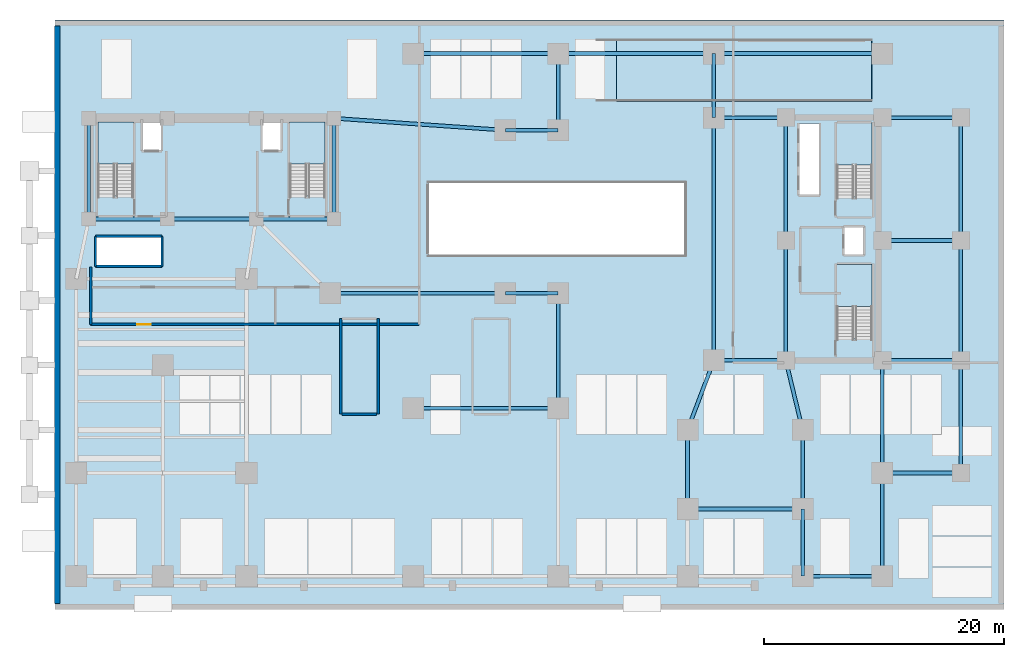
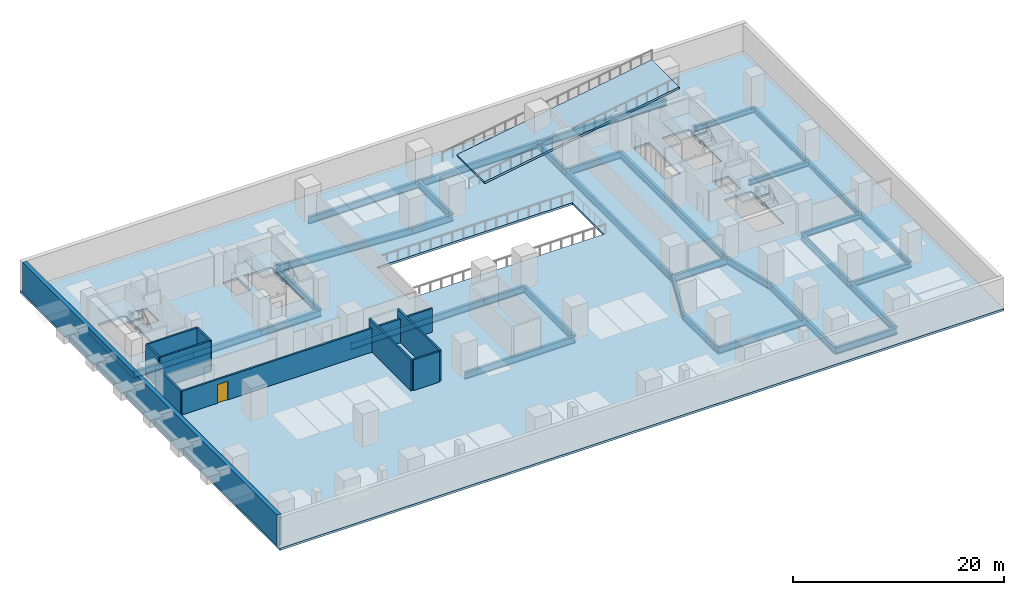
# One storey, part 2 of 9: 37 beams, 10 walls, 6 slabs, 1 door, 1 opening, 4 elements without a shape of their own.
"""IFC4 building model written with IfcOpenShell, lengths in metres."""

from ifc_helpers import new_model, si_unit, direction, frame, frame_2d, origin, origin_2d, place, context, subcontext, project, spatial, polyline, rectangle, i_section, outline, extrude, material, layer, layer_set, material_profile, profile_set, type_object, element, fill, aggregate, save


model = new_model("IFC4")

# Units and contexts
model_context = context("Model", 3, precision=1e-05, world=origin(), true_north=direction((0.0, 1.0)))
body_context = subcontext(model_context, "Body", "Model", "MODEL_VIEW")
ifc_project = project(units=[si_unit("LENGTHUNIT", "METRE"), si_unit("AREAUNIT", "SQUARE_METRE"), si_unit("VOLUMEUNIT", "CUBIC_METRE"), si_unit("PLANEANGLEUNIT", "RADIAN"), si_unit("MASSUNIT", "GRAM", prefix="KILO")], contexts=[model_context])

# Site, building, storey
site_placement = place(None, origin())
site = spatial("IfcSite", under=ifc_project, at=site_placement, CompositionType="ELEMENT")
building_placement = place(site_placement, origin())
building = spatial("IfcBuilding", under=site, at=building_placement, Name="Kuzgunbayir Cultural Tower", CompositionType="ELEMENT")
storey_placement = place(building_placement, frame((0.0, 0.0, -3.800048828125)))
storey = spatial("IfcBuildingStorey", under=building, at=storey_placement, Name="B01", CompositionType="ELEMENT", Elevation=-3.800048828125)

# Beams
ifc_material_1 = material(Name="Steel S460M", Category="steel")
ifc_material_profile_1 = material_profile(ifc_material_1, i_section(OverallWidth=0.304931640625, OverallDepth=0.6201171875, WebThickness=0.02099609375, FlangeThickness=0.0400390625, FilletRadius=0.027099609375, at=origin_2d()), Name="HEM 600")
ifc_profile_set_1 = profile_set([ifc_material_profile_1], Name="Steel S460M")
beam_type_1 = type_object("IfcBeamType", Name="BM-GIR-HEM600", PredefinedType="BEAM", material=ifc_profile_set_1)
for number, where, z_axis, x_axis, name in (
    (1, (72.64990234375, 12.60009765625, -0.56005859375), (1.0, 0.0, 0.0), (0.0, 1.0, 0.0), "B01 East Substructure Girder 1"),
    (2, (72.64990234375, 22.0, -0.56005859375), (1.0, 0.0, 0.0), (0.0, 1.0, 0.0), "B01 East Substructure Girder 2"),
    (3, (72.64990234375, 32.0, -0.56005859375), (1.0, 0.0, 0.0), (0.0, 1.0, 0.0), "B01 East Substructure Girder 3"),
    (4, (72.64990234375, 42.25, -0.56005859375), (1.0, 0.0, 0.0), (0.0, 1.0, 0.0), "B01 East Substructure Girder 4"),
):
    element("IfcBeam", number, at=place(storey_placement, frame(where, z_axis=z_axis, x_axis=x_axis)), inside=storey, type_object=beam_type_1, Name=name, PredefinedType="BEAM", context=body_context, shape_type="SweptSolid", body=[
        extrude(i_section(OverallWidth=0.304931640625, OverallDepth=0.6201171875, WebThickness=0.02099609375, FlangeThickness=0.0400390625, FilletRadius=0.027099609375, at=origin_2d()), origin(), (0.0, 0.0, 1.0), 6.550048828125),
    ])
beam_1_placement = place(storey_placement, frame((79.199951171875, 12.60009765625, -0.56005859375), z_axis=(0.0, 1.0, 0.0), x_axis=(-1.0, 0.0, 0.0)))
element("IfcBeam", 5, at=beam_1_placement, inside=storey, type_object=beam_type_1, Name="B01 East Substructure Spine 1", PredefinedType="BEAM", context=body_context, shape_type="SweptSolid", body=[
    extrude(i_section(OverallWidth=0.304931640625, OverallDepth=0.6201171875, WebThickness=0.02099609375, FlangeThickness=0.0400390625, FilletRadius=0.027099609375, at=origin_2d()), origin(), (0.0, 0.0, 1.0), 9.39990234375),
])
beam_2_placement = place(storey_placement, frame((79.199951171875, 22.0, -0.56005859375), z_axis=(0.0, 1.0, 0.0), x_axis=(-1.0, 0.0, 0.0)))
element("IfcBeam", 6, at=beam_2_placement, inside=storey, type_object=beam_type_1, Name="B01 East Substructure Spine 2", PredefinedType="BEAM", context=body_context, shape_type="SweptSolid", body=[
    extrude(i_section(OverallWidth=0.304931640625, OverallDepth=0.6201171875, WebThickness=0.02099609375, FlangeThickness=0.0400390625, FilletRadius=0.027099609375, at=origin_2d()), origin(), (0.0, 0.0, 1.0), 10.0),
])
beam_3_placement = place(storey_placement, frame((79.199951171875, 32.0, -0.56005859375), z_axis=(0.0, 1.0, 0.0), x_axis=(-1.0, 0.0, 0.0)))
element("IfcBeam", 7, at=beam_3_placement, inside=storey, type_object=beam_type_1, Name="B01 East Substructure Spine 3", PredefinedType="BEAM", context=body_context, shape_type="SweptSolid", body=[
    extrude(i_section(OverallWidth=0.304931640625, OverallDepth=0.6201171875, WebThickness=0.02099609375, FlangeThickness=0.0400390625, FilletRadius=0.027099609375, at=origin_2d()), origin(), (0.0, 0.0, 1.0), 10.25),
])
ifc_material_profile_2 = material_profile(ifc_material_1, i_section(OverallWidth=0.302978515625, OverallDepth=0.81396484375, WebThickness=0.02099609375, FlangeThickness=0.0400390625, FilletRadius=0.030029296875, at=origin_2d()), Name="HEM 800")
ifc_profile_set_2 = profile_set([ifc_material_profile_2], Name="Steel S460M")
beam_type_2 = type_object("IfcBeamType", Name="BM-GIR-HEM800", PredefinedType="BEAM", material=ifc_profile_set_2)
beam_4_placement = place(storey_placement, frame((66.0, 4.0, -0.659912109375), z_axis=(1.0, 0.0, 0.0), x_axis=(0.0, 1.0, 0.0)))
element("IfcBeam", 8, at=beam_4_placement, inside=storey, type_object=beam_type_2, Name="B01 Podium South Girder 7", PredefinedType="BEAM", context=body_context, shape_type="SweptSolid", body=[
    extrude(i_section(OverallWidth=0.302978515625, OverallDepth=0.81396484375, WebThickness=0.02099609375, FlangeThickness=0.0400390625, FilletRadius=0.030029296875, at=origin_2d()), origin(), (0.0, 0.0, 1.0), 6.64990234375),
])
beam_5_placement = place(storey_placement, frame((33.5, 47.60009765625, -0.659912109375), z_axis=(1.0, 0.0, 0.0), x_axis=(0.0, 1.0, 0.0)))
element("IfcBeam", 9, at=beam_5_placement, inside=storey, type_object=beam_type_2, Name="B01 Podium North Girder 1", PredefinedType="BEAM", context=body_context, shape_type="SweptSolid", body=[
    extrude(i_section(OverallWidth=0.302978515625, OverallDepth=0.81396484375, WebThickness=0.02099609375, FlangeThickness=0.0400390625, FilletRadius=0.030029296875, at=origin_2d()), origin(), (0.0, 0.0, 1.0), 12.10009765625),
])
beam_6_placement = place(storey_placement, frame((45.60009765625, 47.60009765625, -0.659912109375), z_axis=(1.0, 0.0, 0.0), x_axis=(0.0, 1.0, 0.0)))
element("IfcBeam", 10, at=beam_6_placement, inside=storey, type_object=beam_type_2, Name="B01 Podium North Girder 2", PredefinedType="BEAM", context=body_context, shape_type="SweptSolid", body=[
    extrude(i_section(OverallWidth=0.302978515625, OverallDepth=0.81396484375, WebThickness=0.02099609375, FlangeThickness=0.0400390625, FilletRadius=0.030029296875, at=origin_2d()), origin(), (0.0, 0.0, 1.0), 13.0),
])
beam_7_placement = place(storey_placement, frame((58.60009765625, 47.60009765625, -0.659912109375), z_axis=(1.0, 0.0, 0.0), x_axis=(0.0, 1.0, 0.0)))
element("IfcBeam", 11, at=beam_7_placement, inside=storey, type_object=beam_type_2, Name="B01 Podium North Girder 3", PredefinedType="BEAM", context=body_context, shape_type="SweptSolid", body=[
    extrude(i_section(OverallWidth=0.302978515625, OverallDepth=0.81396484375, WebThickness=0.02099609375, FlangeThickness=0.0400390625, FilletRadius=0.030029296875, at=origin_2d()), origin(), (0.0, 0.0, 1.0), 14.0498046875),
])
beam_8_placement = place(storey_placement, frame((26.60009765625, 27.60009765625, -0.659912109375), z_axis=(1.0, 0.0, 0.0), x_axis=(0.0, 1.0, 0.0)))
element("IfcBeam", 12, at=beam_8_placement, inside=storey, type_object=beam_type_2, Name="B01 Podium Primary Girder 10", PredefinedType="BEAM", context=body_context, shape_type="SweptSolid", body=[
    extrude(i_section(OverallWidth=0.302978515625, OverallDepth=0.81396484375, WebThickness=0.02099609375, FlangeThickness=0.0400390625, FilletRadius=0.030029296875, at=origin_2d()), origin(), (0.0, 0.0, 1.0), 14.599853515625),
])
beam_9_placement = place(storey_placement, frame((41.199951171875, 27.60009765625, -0.659912109375), z_axis=(1.0, 0.0, 0.0), x_axis=(0.0, 1.0, 0.0)))
element("IfcBeam", 13, at=beam_9_placement, inside=storey, type_object=beam_type_2, Name="B01 Podium Primary Girder 11", PredefinedType="BEAM", context=body_context, shape_type="SweptSolid", body=[
    extrude(i_section(OverallWidth=0.302978515625, OverallDepth=0.81396484375, WebThickness=0.02099609375, FlangeThickness=0.0400390625, FilletRadius=0.030029296875, at=origin_2d()), origin(), (0.0, 0.0, 1.0), 4.400146484375),
])
beam_10_placement = place(storey_placement, frame((26.89990234375, 42.199951171875, -0.659912109375), z_axis=(0.997563840671, -0.06975947094, 0.0), x_axis=(0.06975947094, 0.997563840671, 0.0)))
element("IfcBeam", 14, at=beam_10_placement, inside=storey, type_object=beam_type_2, Name="B01 Podium Primary Girder 12", PredefinedType="BEAM", context=body_context, shape_type="SweptSolid", body=[
    extrude(i_section(OverallWidth=0.302978515625, OverallDepth=0.81396484375, WebThickness=0.02099609375, FlangeThickness=0.0400390625, FilletRadius=0.030029296875, at=origin_2d()), origin(), (0.0, 0.0, 1.0), 14.3349609375),
])
beam_11_placement = place(storey_placement, frame((41.199951171875, 41.199951171875, -0.659912109375), z_axis=(1.0, 0.0, 0.0), x_axis=(0.0, 1.0, 0.0)))
element("IfcBeam", 15, at=beam_11_placement, inside=storey, type_object=beam_type_2, Name="B01 Podium Primary Girder 13", PredefinedType="BEAM", context=body_context, shape_type="SweptSolid", body=[
    extrude(i_section(OverallWidth=0.302978515625, OverallDepth=0.81396484375, WebThickness=0.02099609375, FlangeThickness=0.0400390625, FilletRadius=0.030029296875, at=origin_2d()), origin(), (0.0, 0.0, 1.0), 4.400146484375),
])
beam_12_placement = place(storey_placement, frame((33.5, 18.0, -0.659912109375), z_axis=(1.0, 0.0, 0.0), x_axis=(0.0, 1.0, 0.0)))
element("IfcBeam", 16, at=beam_12_placement, inside=storey, type_object=beam_type_2, Name="B01 Podium Primary Girder 16", PredefinedType="BEAM", context=body_context, shape_type="SweptSolid", body=[
    extrude(i_section(OverallWidth=0.302978515625, OverallDepth=0.81396484375, WebThickness=0.02099609375, FlangeThickness=0.0400390625, FilletRadius=0.030029296875, at=origin_2d()), origin(), (0.0, 0.0, 1.0), 12.10009765625),
])
for number, where, z_axis, x_axis, name in (
    (17, (45.60009765625, 18.0, -0.659912109375), (0.0, 1.0, 0.0), (-1.0, 0.0, 0.0), "B01 Podium Primary Girder 17"),
    (18, (56.39990234375, 9.60009765625, -0.659912109375), (1.0, 0.0, 0.0), (0.0, 1.0, 0.0), "B01 Podium Primary Girder 18"),
):
    element("IfcBeam", number, at=place(storey_placement, frame(where, z_axis=z_axis, x_axis=x_axis)), inside=storey, type_object=beam_type_2, Name=name, PredefinedType="BEAM", context=body_context, shape_type="SweptSolid", body=[
        extrude(i_section(OverallWidth=0.302978515625, OverallDepth=0.81396484375, WebThickness=0.02099609375, FlangeThickness=0.0400390625, FilletRadius=0.030029296875, at=origin_2d()), origin(), (0.0, 0.0, 1.0), 9.60009765625),
    ])
beam_13_placement = place(storey_placement, frame((56.39990234375, 9.60009765625, -0.659912109375), z_axis=(0.0, 1.0, 0.0), x_axis=(-1.0, 0.0, 0.0)))
element("IfcBeam", 19, at=beam_13_placement, inside=storey, type_object=beam_type_2, Name="B01 Podium Primary Girder 19", PredefinedType="BEAM", context=body_context, shape_type="SweptSolid", body=[
    extrude(i_section(OverallWidth=0.302978515625, OverallDepth=0.81396484375, WebThickness=0.02099609375, FlangeThickness=0.0400390625, FilletRadius=0.030029296875, at=origin_2d()), origin(), (0.0, 0.0, 1.0), 6.599853515625),
])
beam_14_placement = place(storey_placement, frame((56.39990234375, 16.199951171875, -0.659912109375), z_axis=(0.354679148754, 0.93498807556, 0.0), x_axis=(-0.93498807556, 0.354679148754, 0.0)))
element("IfcBeam", 20, at=beam_14_placement, inside=storey, type_object=beam_type_2, Name="B01 Podium Primary Girder 20", PredefinedType="BEAM", context=body_context, shape_type="SweptSolid", body=[
    extrude(i_section(OverallWidth=0.302978515625, OverallDepth=0.81396484375, WebThickness=0.02099609375, FlangeThickness=0.0400390625, FilletRadius=0.030029296875, at=origin_2d()), origin(), (0.0, 0.0, 1.0), 6.203369140625),
])
beam_15_placement = place(storey_placement, frame((66.0, 9.60009765625, -0.659912109375), z_axis=(0.0, 1.0, 0.0), x_axis=(-1.0, 0.0, 0.0)))
element("IfcBeam", 21, at=beam_15_placement, inside=storey, type_object=beam_type_2, Name="B01 Podium Primary Girder 21", PredefinedType="BEAM", context=body_context, shape_type="SweptSolid", body=[
    extrude(i_section(OverallWidth=0.302978515625, OverallDepth=0.81396484375, WebThickness=0.02099609375, FlangeThickness=0.0400390625, FilletRadius=0.030029296875, at=origin_2d()), origin(), (0.0, 0.0, 1.0), 6.599853515625),
])
beam_16_placement = place(storey_placement, frame((66.0, 16.199951171875, -0.659912109375), z_axis=(-0.234623200431, 0.972086392158, 0.0), x_axis=(-0.972086392158, -0.234623200431, 0.0)))
element("IfcBeam", 22, at=beam_16_placement, inside=storey, type_object=beam_type_2, Name="B01 Podium Primary Girder 22", PredefinedType="BEAM", context=body_context, shape_type="SweptSolid", body=[
    extrude(i_section(OverallWidth=0.302978515625, OverallDepth=0.81396484375, WebThickness=0.02099609375, FlangeThickness=0.0400390625, FilletRadius=0.030029296875, at=origin_2d()), origin(), (0.0, 0.0, 1.0), 5.966552734375),
])
for number, where, z_axis, x_axis, name in (
    (23, (58.60009765625, 22.0, -0.659912109375), (1.0, 0.0, 0.0), (0.0, 1.0, 0.0), "B01 Podium Primary Girder 23"),
    (24, (58.60009765625, 42.25, -0.659912109375), (1.0, 0.0, 0.0), (0.0, 1.0, 0.0), "B01 Podium Primary Girder 24"),
):
    element("IfcBeam", number, at=place(storey_placement, frame(where, z_axis=z_axis, x_axis=x_axis)), inside=storey, type_object=beam_type_2, Name=name, PredefinedType="BEAM", context=body_context, shape_type="SweptSolid", body=[
        extrude(i_section(OverallWidth=0.302978515625, OverallDepth=0.81396484375, WebThickness=0.02099609375, FlangeThickness=0.0400390625, FilletRadius=0.030029296875, at=origin_2d()), origin(), (0.0, 0.0, 1.0), 6.0),
    ])
beam_17_placement = place(storey_placement, frame((58.60009765625, 22.0, -0.659912109375), z_axis=(0.0, 1.0, 0.0), x_axis=(-1.0, 0.0, 0.0)))
element("IfcBeam", 25, at=beam_17_placement, inside=storey, type_object=beam_type_2, Name="B01 Podium Primary Girder 25", PredefinedType="BEAM", context=body_context, shape_type="SweptSolid", body=[
    extrude(i_section(OverallWidth=0.302978515625, OverallDepth=0.81396484375, WebThickness=0.02099609375, FlangeThickness=0.0400390625, FilletRadius=0.030029296875, at=origin_2d()), origin(), (0.0, 0.0, 1.0), 20.25),
])
beam_18_placement = place(storey_placement, frame((64.60009765625, 22.0, -0.659912109375), z_axis=(0.0, 1.0, 0.0), x_axis=(-1.0, 0.0, 0.0)))
element("IfcBeam", 26, at=beam_18_placement, inside=storey, type_object=beam_type_2, Name="B01 Podium Primary Girder 26", PredefinedType="BEAM", context=body_context, shape_type="SweptSolid", body=[
    extrude(i_section(OverallWidth=0.302978515625, OverallDepth=0.81396484375, WebThickness=0.02099609375, FlangeThickness=0.0400390625, FilletRadius=0.030029296875, at=origin_2d()), origin(), (0.0, 0.0, 1.0), 10.0),
])
beam_19_placement = place(storey_placement, frame((64.60009765625, 32.0, -0.659912109375), z_axis=(0.0, 1.0, 0.0), x_axis=(-1.0, 0.0, 0.0)))
element("IfcBeam", 27, at=beam_19_placement, inside=storey, type_object=beam_type_2, Name="B01 Podium Primary Girder 27", PredefinedType="BEAM", context=body_context, shape_type="SweptSolid", body=[
    extrude(i_section(OverallWidth=0.302978515625, OverallDepth=0.81396484375, WebThickness=0.02099609375, FlangeThickness=0.0400390625, FilletRadius=0.030029296875, at=origin_2d()), origin(), (0.0, 0.0, 1.0), 10.25),
])
beam_20_placement = place(storey_placement, frame((6.449951171875, 33.800048828125, -0.659912109375), z_axis=(1.0, 0.0, 0.0), x_axis=(0.0, 1.0, 0.0)))
element("IfcBeam", 28, at=beam_20_placement, inside=storey, type_object=beam_type_2, Name="B01 Podium Primary Girder 28", PredefinedType="BEAM", context=body_context, shape_type="SweptSolid", body=[
    extrude(i_section(OverallWidth=0.302978515625, OverallDepth=0.81396484375, WebThickness=0.02099609375, FlangeThickness=0.0400390625, FilletRadius=0.030029296875, at=origin_2d()), origin(), (0.0, 0.0, 1.0), 6.550048828125),
])
beam_21_placement = place(storey_placement, frame((13.0, 33.800048828125, -0.659912109375), z_axis=(1.0, 0.0, 0.0), x_axis=(0.0, 1.0, 0.0)))
element("IfcBeam", 29, at=beam_21_placement, inside=storey, type_object=beam_type_2, Name="B01 Podium Primary Girder 29", PredefinedType="BEAM", context=body_context, shape_type="SweptSolid", body=[
    extrude(i_section(OverallWidth=0.302978515625, OverallDepth=0.81396484375, WebThickness=0.02099609375, FlangeThickness=0.0400390625, FilletRadius=0.030029296875, at=origin_2d()), origin(), (0.0, 0.0, 1.0), 7.39990234375),
])
beam_22_placement = place(storey_placement, frame((20.39990234375, 33.800048828125, -0.659912109375), z_axis=(1.0, 0.0, 0.0), x_axis=(0.0, 1.0, 0.0)))
element("IfcBeam", 30, at=beam_22_placement, inside=storey, type_object=beam_type_2, Name="B01 Podium Primary Girder 30", PredefinedType="BEAM", context=body_context, shape_type="SweptSolid", body=[
    extrude(i_section(OverallWidth=0.302978515625, OverallDepth=0.81396484375, WebThickness=0.02099609375, FlangeThickness=0.0400390625, FilletRadius=0.030029296875, at=origin_2d()), origin(), (0.0, 0.0, 1.0), 6.5),
])
for number, where, z_axis, x_axis, name in (
    (31, (6.449951171875, 33.800048828125, -0.659912109375), (0.0, 1.0, 0.0), (-1.0, 0.0, 0.0), "B01 Podium Primary Girder 31"),
    (32, (26.89990234375, 33.800048828125, -0.659912109375), (0.0, 1.0, 0.0), (-1.0, 0.0, 0.0), "B01 Podium Primary Girder 32"),
):
    element("IfcBeam", number, at=place(storey_placement, frame(where, z_axis=z_axis, x_axis=x_axis)), inside=storey, type_object=beam_type_2, Name=name, PredefinedType="BEAM", context=body_context, shape_type="SweptSolid", body=[
        extrude(i_section(OverallWidth=0.302978515625, OverallDepth=0.81396484375, WebThickness=0.02099609375, FlangeThickness=0.0400390625, FilletRadius=0.030029296875, at=origin_2d()), origin(), (0.0, 0.0, 1.0), 8.39990234375),
    ])
beam_23_placement = place(storey_placement, frame((66.0, 4.0, -0.659912109375), z_axis=(0.0, 1.0, 0.0), x_axis=(-1.0, 0.0, 0.0)))
element("IfcBeam", 33, at=beam_23_placement, inside=storey, type_object=beam_type_2, Name="B01 Podium Primary Girder 38", PredefinedType="BEAM", context=body_context, shape_type="SweptSolid", body=[
    extrude(i_section(OverallWidth=0.302978515625, OverallDepth=0.81396484375, WebThickness=0.02099609375, FlangeThickness=0.0400390625, FilletRadius=0.030029296875, at=origin_2d()), origin(), (0.0, 0.0, 1.0), 5.60009765625),
])
beam_24_placement = place(storey_placement, frame((72.64990234375, 4.0, -0.659912109375), z_axis=(0.0, 1.0, 0.0), x_axis=(-1.0, 0.0, 0.0)))
element("IfcBeam", 34, at=beam_24_placement, inside=storey, type_object=beam_type_2, Name="B01 Podium Primary Girder 39", PredefinedType="BEAM", context=body_context, shape_type="SweptSolid", body=[
    extrude(i_section(OverallWidth=0.302978515625, OverallDepth=0.81396484375, WebThickness=0.02099609375, FlangeThickness=0.0400390625, FilletRadius=0.030029296875, at=origin_2d()), origin(), (0.0, 0.0, 1.0), 8.60009765625),
])
beam_25_placement = place(storey_placement, frame((72.64990234375, 12.60009765625, -0.659912109375), z_axis=(0.0, 1.0, 0.0), x_axis=(-1.0, 0.0, 0.0)))
element("IfcBeam", 35, at=beam_25_placement, inside=storey, type_object=beam_type_2, Name="B01 Podium Primary Girder 40", PredefinedType="BEAM", context=body_context, shape_type="SweptSolid", body=[
    extrude(i_section(OverallWidth=0.302978515625, OverallDepth=0.81396484375, WebThickness=0.02099609375, FlangeThickness=0.0400390625, FilletRadius=0.030029296875, at=origin_2d()), origin(), (0.0, 0.0, 1.0), 9.39990234375),
])
beam_26_placement = place(storey_placement, frame((45.60009765625, 41.199951171875, -0.659912109375), z_axis=(0.0, 1.0, 0.0), x_axis=(-1.0, 0.0, 0.0)))
element("IfcBeam", 36, at=beam_26_placement, inside=storey, type_object=beam_type_2, Name="B01 Podium Primary Girder 41", PredefinedType="BEAM", context=body_context, shape_type="SweptSolid", body=[
    extrude(i_section(OverallWidth=0.302978515625, OverallDepth=0.81396484375, WebThickness=0.02099609375, FlangeThickness=0.0400390625, FilletRadius=0.030029296875, at=origin_2d()), origin(), (0.0, 0.0, 1.0), 6.400146484375),
])
beam_27_placement = place(storey_placement, frame((58.60009765625, 42.25, -0.659912109375), z_axis=(0.0, 1.0, 0.0), x_axis=(-1.0, 0.0, 0.0)))
element("IfcBeam", 37, at=beam_27_placement, inside=storey, type_object=beam_type_2, Name="B01 Podium Primary Girder 42", PredefinedType="BEAM", context=body_context, shape_type="SweptSolid", body=[
    extrude(i_section(OverallWidth=0.302978515625, OverallDepth=0.81396484375, WebThickness=0.02099609375, FlangeThickness=0.0400390625, FilletRadius=0.030029296875, at=origin_2d()), origin(), (0.0, 0.0, 1.0), 5.35009765625),
])

# Stair, slab
ifc_material_2 = material(Name="Concrete C40/50", Category="concrete")
stair_type = type_object("IfcStairType", Name="STR-EXIT-CORE", PredefinedType="HALF_TURN_STAIR", material=ifc_material_2)
stair_1_placement = place(storey_placement, origin())
stair_1 = element("IfcStair", 38, at=stair_1_placement, inside=storey, type_object=stair_type, Name="B01 ST-1", PredefinedType="HALF_TURN_STAIR")
ifc_layer_1 = layer(ifc_material_2, 0.179931640625)
ifc_layer_set_1 = layer_set([ifc_layer_1], Name="Concrete C40/50")
slab_type_1 = type_object("IfcSlabType", Name="SLB-LANDING-180", PredefinedType="LANDING", material=ifc_layer_set_1)
slab_1_placement = place(storey_placement, frame((0.0, 0.0, 1.699951171875)))
slab_1 = element("IfcSlab", 39, at=slab_1_placement, type_object=slab_type_1, Name="ST-1 landing 1", PredefinedType="LANDING", context=body_context, shape_type="SweptSolid", body=[
    extrude(outline(polyline([(10.159912109375, 38.39990234375), (10.159912109375, 41.89990234375), (7.199951171875, 41.89990234375), (7.199951171875, 38.39990234375), (10.159912109375, 38.39990234375)])), origin(), (0.0, 0.0, 1.0), 0.2001953125),
])
aggregate(stair_1, [slab_1])

stair_2_placement = place(storey_placement, origin())
stair_2 = element("IfcStair", 40, at=stair_2_placement, inside=storey, type_object=stair_type, Name="B01 ST-2", PredefinedType="HALF_TURN_STAIR")
slab_2_placement = place(storey_placement, frame((0.0, 0.0, 1.699951171875)))
slab_2 = element("IfcSlab", 41, at=slab_2_placement, type_object=slab_type_1, Name="ST-2 landing 1", PredefinedType="LANDING", context=body_context, shape_type="SweptSolid", body=[
    extrude(outline(polyline([(26.159912109375, 38.39990234375), (26.159912109375, 41.89990234375), (23.199951171875, 41.89990234375), (23.199951171875, 38.39990234375), (26.159912109375, 38.39990234375)])), origin(), (0.0, 0.0, 1.0), 0.2001953125),
])
aggregate(stair_2, [slab_2])

stair_3_placement = place(storey_placement, origin())
stair_3 = element("IfcStair", 42, at=stair_3_placement, inside=storey, type_object=stair_type, Name="B01 ST-3", PredefinedType="HALF_TURN_STAIR")
slab_3_placement = place(storey_placement, frame((0.0, 0.0, 1.699951171875)))
slab_3 = element("IfcSlab", 43, at=slab_3_placement, type_object=slab_type_1, Name="ST-3 landing 1", PredefinedType="LANDING", context=body_context, shape_type="SweptSolid", body=[
    extrude(outline(polyline([(71.800048828125, 26.5), (71.800048828125, 30.0), (68.840087890625, 30.0), (68.840087890625, 26.5), (71.800048828125, 26.5)])), origin(), (0.0, 0.0, 1.0), 0.2001953125),
])
aggregate(stair_3, [slab_3])

stair_4_placement = place(storey_placement, origin())
stair_4 = element("IfcStair", 44, at=stair_4_placement, inside=storey, type_object=stair_type, Name="B01 ST-4", PredefinedType="HALF_TURN_STAIR")
slab_4_placement = place(storey_placement, frame((0.0, 0.0, 1.699951171875)))
slab_4 = element("IfcSlab", 45, at=slab_4_placement, type_object=slab_type_1, Name="ST-4 landing 1", PredefinedType="LANDING", context=body_context, shape_type="SweptSolid", body=[
    extrude(outline(polyline([(71.800048828125, 38.300048828125), (71.800048828125, 41.800048828125), (68.840087890625, 41.800048828125), (68.840087890625, 38.300048828125), (71.800048828125, 38.300048828125)])), origin(), (0.0, 0.0, 1.0), 0.2001953125),
])
aggregate(stair_4, [slab_4])

# Slabs
ifc_layer_2 = layer(ifc_material_2, 0.25)
ifc_layer_set_2 = layer_set([ifc_layer_2], Name="Concrete C40/50")
slab_type_2 = type_object("IfcSlabType", Name="SLB-POD-250", PredefinedType="FLOOR", material=ifc_layer_set_2)
slab_5_placement = place(storey_placement, frame((0.0, 0.0, -0.25)))
element("IfcSlab", 46, at=slab_5_placement, inside=storey, type_object=slab_type_2, Name="B01 Podium Structural Floor Slab", PredefinedType="FLOOR", context=body_context, shape_type="SweptSolid", body=[
    extrude(outline(polyline([(3.60009765625, 1.199951171875), (82.800048828125, 1.199951171875), (82.800048828125, 50.39990234375), (3.60009765625, 50.39990234375), (3.60009765625, 1.199951171875)]), holes=[polyline([(7.199951171875, 35.760009765625), (7.199951171875, 41.89990234375), (10.159912109375, 41.89990234375), (10.159912109375, 35.760009765625), (7.199951171875, 35.760009765625)]), polyline([(23.199951171875, 35.760009765625), (23.199951171875, 41.89990234375), (26.159912109375, 41.89990234375), (26.159912109375, 35.760009765625), (23.199951171875, 35.760009765625)]), polyline([(68.840087890625, 23.860107421875), (68.840087890625, 30.0), (71.800048828125, 30.0), (71.800048828125, 23.860107421875), (68.840087890625, 23.860107421875)]), polyline([(68.840087890625, 35.659912109375), (68.840087890625, 41.800048828125), (71.800048828125, 41.800048828125), (71.800048828125, 35.659912109375), (68.840087890625, 35.659912109375)]), polyline([(7.10009765625, 29.89990234375), (7.10009765625, 32.300048828125), (12.5, 32.300048828125), (12.5, 29.89990234375), (7.10009765625, 29.89990234375)]), polyline([(10.89990234375, 39.5), (10.89990234375, 41.89990234375), (12.5, 41.89990234375), (12.5, 39.5), (10.89990234375, 39.5)]), polyline([(20.89990234375, 39.5), (20.89990234375, 41.89990234375), (22.5, 41.89990234375), (22.5, 39.5), (20.89990234375, 39.5)]), polyline([(65.699951171875, 35.800048828125), (65.699951171875, 41.75), (67.39990234375, 41.75), (67.39990234375, 35.800048828125), (65.699951171875, 35.800048828125)]), polyline([(69.5, 30.800048828125), (69.5, 33.199951171875), (71.10009765625, 33.199951171875), (71.10009765625, 30.800048828125), (69.5, 30.800048828125)]), polyline([(34.800048828125, 30.800048828125), (34.800048828125, 36.800048828125), (56.14990234375, 36.800048828125), (56.14990234375, 30.800048828125), (34.800048828125, 30.800048828125)])]), origin(), (0.0, 0.0, 1.0), 0.25),
])
ifc_layer_3 = layer(ifc_material_2, 0.239990234375)
ifc_layer_set_3 = layer_set([ifc_layer_3], Name="Concrete C40/50")
slab_type_3 = type_object("IfcSlabType", Name="SLB-VRAMP-240", PredefinedType="FLOOR", material=ifc_layer_set_3)
slab_6_placement = place(storey_placement, frame((50.4599609375, 43.60009765625, 0.27001953125), z_axis=(-0.162972751224, 0.0, 0.986630570355), x_axis=(0.986630570355, 0.0, 0.162972751224)))
element("IfcSlab", 47, at=slab_6_placement, inside=storey, type_object=slab_type_3, Name="B01 Car Park Vehicle Ramp VR-1 Structural Concrete Slab", PredefinedType="FLOOR", context=body_context, shape_type="SweptSolid", body=[
    extrude(outline(polyline([(0.0, 0.0), (21.598822532014093, 0.0), (21.598822532014093, 5.199951171875), (0.0, 5.199951171875), (0.0, 0.0)])), origin(), (0.0, 0.0, -1.0), 0.239990234375),
])

# Wall
ifc_layer_4 = layer(ifc_material_2, 0.449951171875)
ifc_layer_set_4 = layer_set([ifc_layer_4], Name="Concrete C40/50")
wall_type_1 = type_object("IfcWallType", Name="WAL-EXT-BSM-450", PredefinedType="SOLIDWALL", material=ifc_layer_set_4)
wall_1_placement = place(storey_placement, frame((3.820068359375, 49.89990234375, 0.0), z_axis=(0.0, 0.0, 1.0), x_axis=(0.0, -1.0, 0.0)))
element("IfcWall", 48, at=wall_1_placement, inside=storey, type_object=wall_type_1, Name="B01 West Retaining Wall", PredefinedType="SOLIDWALL", context=body_context, shape_type="SweptSolid", body=[
    extrude(rectangle(XDim=48.199951171875, YDim=0.449951171875, at=frame_2d((24.10009765625, 0.0))), origin(), (0.0, 0.0, 1.0), 3.550048828125),
])

# Wall, opening, door
ifc_material_3 = material(Name="Aerated Concrete Blockwork", Category="masonry")
ifc_layer_5 = layer(ifc_material_3, 0.199951171875)
ifc_layer_set_5 = layer_set([ifc_layer_5], Name="Aerated Concrete Blockwork")
wall_type_2 = type_object("IfcWallType", Name="WAL-PART-FIRE-200", PredefinedType="PARTITIONING", material=ifc_layer_set_5)
wall_2_placement = place(storey_placement, frame((6.60009765625, 25.0, 0.0), z_axis=(0.0, 0.0, 1.0), x_axis=(1.0, 0.0, 0.0)))
wall_2 = element("IfcWall", 49, at=wall_2_placement, inside=storey, type_object=wall_type_2, Name="B01 Basement Parking Fire Compartment Wall", PredefinedType="PARTITIONING", context=body_context, shape_type="SweptSolid", body=[
    extrude(rectangle(XDim=27.39990234375, YDim=0.199951171875, at=frame_2d((13.699951171875, 0.0))), origin(), (0.0, 0.0, 1.0), 2.739990234375),
])
opening_placement = place(wall_2_placement, frame((3.89990234375, 0.0, 0.0)))
opening = element("IfcOpeningElement", 50, at=opening_placement, cuts=wall_2, Name="Opening DR-STAIR-90", PredefinedType="OPENING", context=body_context, shape_type="SweptSolid", body=[
    extrude(rectangle(XDim=1.10009765625, YDim=2.14990234375, at=frame_2d((0.550048828125, 1.074951171875))), frame((0.0, 0.10986328125, 0.0), z_axis=(0.0, -1.0, 0.0), x_axis=(1.0, 0.0, 0.0)), (0.0, 0.0, 1.0), 0.219970703125),
])
ifc_material_4 = material(Name="Steel S355J2", Category="steel")
door_type = type_object("IfcDoorType", Name="DR-STAIR-90", OperationType="NOTDEFINED", PredefinedType="DOOR", material=ifc_material_4)
door_placement = place(opening_placement, origin())
door = element("IfcDoor", 51, at=door_placement, inside=storey, type_object=door_type, Name="B01 Parking to Shuttle Lobby Door", OperationType="SINGLE_SWING_LEFT", OverallHeight=2.14990234375, OverallWidth=1.10009765625, PredefinedType="DOOR", context=body_context, shape_type="SweptSolid", body=[
    extrude(rectangle(XDim=1.10009765625, YDim=2.14990234375, at=frame_2d((0.550048828125, 1.074951171875))), frame((0.0, 0.02490234375, 0.0), z_axis=(0.0, -1.0, 0.0), x_axis=(1.0, 0.0, 0.0)), (0.0, 0.0, 1.0), 0.050048828125),
])
fill(opening, door)

# Walls
wall_3_placement = place(storey_placement, frame((6.60009765625, 25.0, 0.0), z_axis=(0.0, 0.0, 1.0), x_axis=(0.0, 1.0, 0.0)))
element("IfcWall", 52, at=wall_3_placement, inside=storey, type_object=wall_type_2, Name="B01 Basement Core West Fire Wall", PredefinedType="PARTITIONING", context=body_context, shape_type="SweptSolid", body=[
    extrude(rectangle(XDim=4.800048828125, YDim=0.199951171875, at=frame_2d((2.39990234375, 0.0))), origin(), (0.0, 0.0, 1.0), 2.739990234375),
])
ifc_layer_6 = layer(ifc_material_2, 0.199951171875)
ifc_layer_set_6 = layer_set([ifc_layer_6], Name="Concrete C40/50")
wall_type_3 = type_object("IfcWallType", Name="WAL-SHAFT-200", PredefinedType="MOVABLE", material=ifc_layer_set_6)
for number, where, z_axis, x_axis, name in (
    (53, (7.0, 29.85009765625, 0.0), (0.0, 0.0, 1.0), (1.0, 0.0, 0.0), "B01 High-Rise Lift Shaft South Wall"),
    (54, (7.0, 32.35009765625, 0.0), (0.0, 0.0, 1.0), (1.0, 0.0, 0.0), "B01 High-Rise Lift Shaft North Wall"),
):
    element("IfcWall", number, at=place(storey_placement, frame(where, z_axis=z_axis, x_axis=x_axis)), inside=storey, type_object=wall_type_3, Name=name, PredefinedType="MOVABLE", context=body_context, shape_type="SweptSolid", body=[
        extrude(rectangle(XDim=5.550048828125, YDim=0.199951171875, at=frame_2d((2.77490234375, 0.0))), origin(), (0.0, 0.0, 1.0), 3.550048828125),
    ])
for number, where, z_axis, x_axis, name in (
    (55, (7.0, 29.85009765625, 0.0), (0.0, 0.0, 1.0), (0.0, 1.0, 0.0), "B01 High-Rise Lift Shaft West Wall"),
    (56, (12.550048828125, 29.85009765625, 0.0), (0.0, 0.0, 1.0), (0.0, 1.0, 0.0), "B01 High-Rise Lift Shaft East Wall"),
):
    element("IfcWall", number, at=place(storey_placement, frame(where, z_axis=z_axis, x_axis=x_axis)), inside=storey, type_object=wall_type_3, Name=name, PredefinedType="MOVABLE", context=body_context, shape_type="SweptSolid", body=[
        extrude(rectangle(XDim=2.5, YDim=0.199951171875, at=frame_2d((1.25, 0.0))), origin(), (0.0, 0.0, 1.0), 3.550048828125),
    ])
ifc_layer_7 = layer(ifc_material_2, 0.199951171875)
ifc_layer_set_7 = layer_set([ifc_layer_7], Name="Concrete C40/50")
wall_type_4 = type_object("IfcWallType", Name="WAL-STAIR-RC-200", PredefinedType="SHEAR", material=ifc_layer_set_7)
for number, where, z_axis, x_axis, name in (
    (57, (27.4599609375, 17.52001953125, 0.0), (0.0, 0.0, 1.0), (0.0, 1.0, 0.0), "B01 Riser Shaft ST-5 West Structural Wall"),
    (58, (30.580078125, 17.52001953125, 0.0), (0.0, 0.0, 1.0), (0.0, 1.0, 0.0), "B01 Riser Shaft ST-5 East Structural Wall"),
):
    element("IfcWall", number, at=place(storey_placement, frame(where, z_axis=z_axis, x_axis=x_axis)), inside=storey, type_object=wall_type_4, Name=name, PredefinedType="SHEAR", context=body_context, shape_type="SweptSolid", body=[
        extrude(rectangle(XDim=7.9599609375, YDim=0.199951171875, at=frame_2d((3.97998046875, 0.0))), origin(), (0.0, 0.0, 1.0), 3.550048828125),
    ])
wall_4_placement = place(storey_placement, frame((27.580078125, 17.52001953125, 0.0), z_axis=(0.0, 0.0, 1.0), x_axis=(1.0, 0.0, 0.0)))
element("IfcWall", 59, at=wall_4_placement, inside=storey, type_object=wall_type_4, Name="B01 Riser Shaft ST-5 South Structural Wall", PredefinedType="SHEAR", context=body_context, shape_type="SweptSolid", body=[
    extrude(rectangle(XDim=2.8798828125, YDim=0.199951171875, at=frame_2d((1.43994140625, 0.0))), origin(), (0.0, 0.0, 1.0), 3.550048828125),
])

save(model, "model.ifc")
